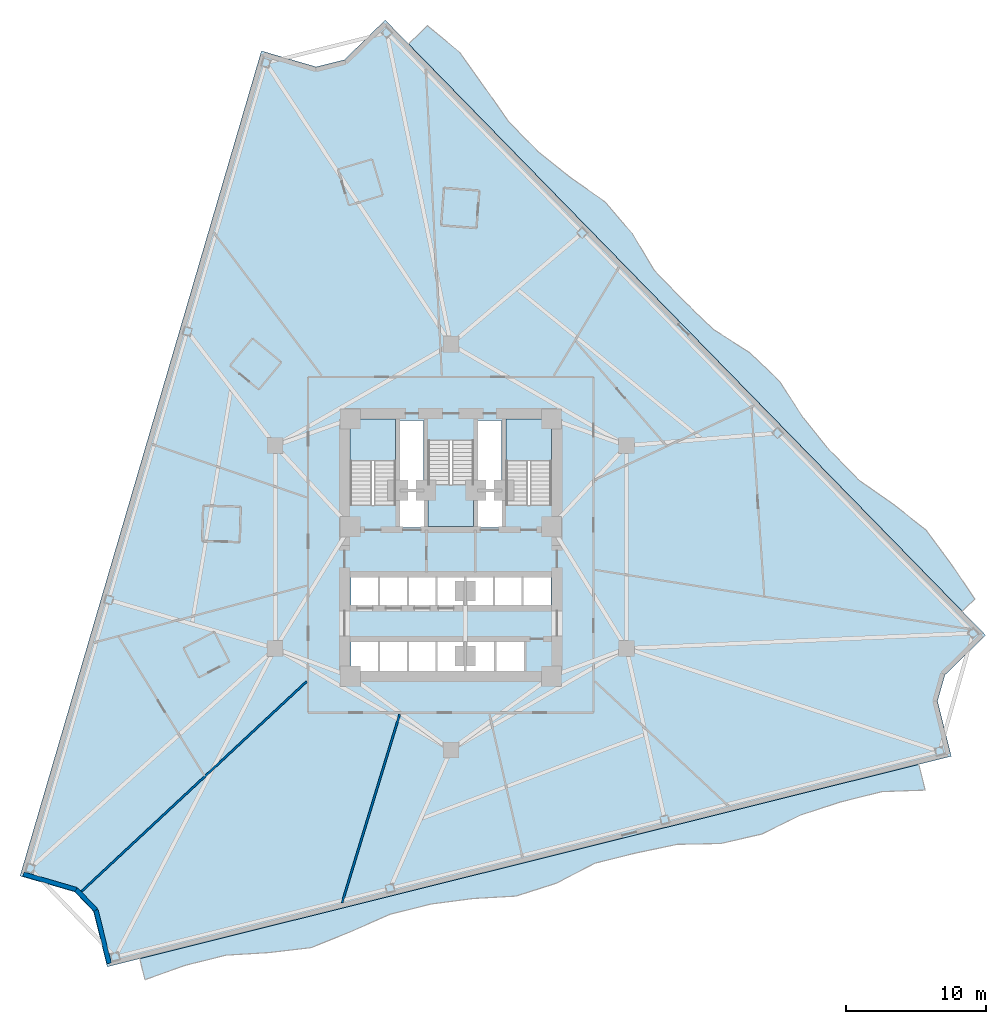
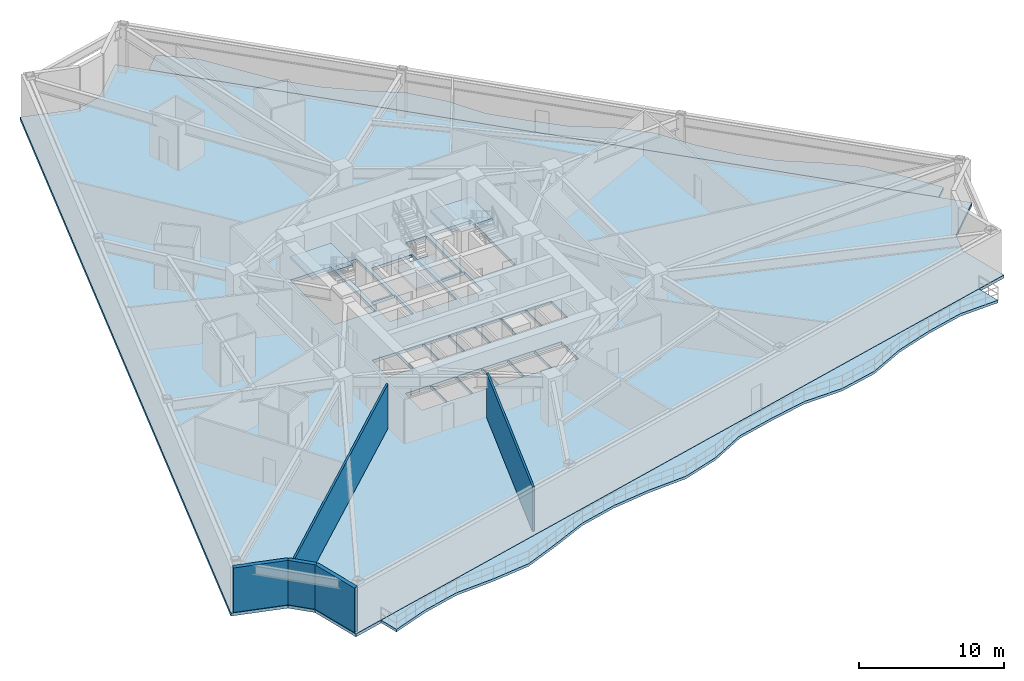
# One storey, part 2 of 9: 6 slabs, 5 walls, 3 elements without a shape of their own.
"""IFC4 building model written with IfcOpenShell, lengths in metres."""

from ifc_helpers import new_model, si_unit, direction, frame, frame_2d, origin, place, context, subcontext, project, spatial, polyline, rectangle, outline, extrude, material, layer, layer_set, type_object, element, aggregate, save


model = new_model("IFC4")

# Units and contexts
model_context = context("Model", 3, precision=1e-05, world=origin(), true_north=direction((0.0, 1.0)))
body_context = subcontext(model_context, "Body", "Model", "MODEL_VIEW")
ifc_project = project(units=[si_unit("LENGTHUNIT", "METRE"), si_unit("AREAUNIT", "SQUARE_METRE"), si_unit("VOLUMEUNIT", "CUBIC_METRE"), si_unit("PLANEANGLEUNIT", "RADIAN"), si_unit("MASSUNIT", "GRAM", prefix="KILO")], contexts=[model_context])

# Site, building, storey
site_placement = place(None, origin())
site = spatial("IfcSite", under=ifc_project, at=site_placement, CompositionType="ELEMENT")
building_placement = place(site_placement, origin())
building = spatial("IfcBuilding", under=site, at=building_placement, Name="Apsidion Concourse Tower", CompositionType="ELEMENT")
storey_placement = place(building_placement, frame((0.0, 0.0, 111.0)))
storey = spatial("IfcBuildingStorey", under=building, at=storey_placement, Name="L25", CompositionType="ELEMENT", Elevation=111.0)

# Slabs
ifc_material_1 = material(Name="Concrete C50/60", Category="concrete")
ifc_layer_1 = layer(ifc_material_1, 0.219970703125)
ifc_layer_set_1 = layer_set([ifc_layer_1], Name="Concrete C50/60")
slab_type_1 = type_object("IfcSlabType", Name="SL-BAL-220", PredefinedType="FLOOR", material=ifc_layer_set_1)
slab_1_placement = place(storey_placement, frame((0.0, 0.0, -0.219970703125)))
element("IfcSlab", 1, at=slab_1_placement, inside=storey, type_object=slab_type_1, Name="L25 Face 2 Rippling Balcony Slab", PredefinedType="FLOOR", context=body_context, shape_type="SweptSolid", body=[
    extrude(outline(polyline([(-22.24560546875, -29.43359375), (-19.313720703125, -28.702392578125), (-16.3818359375, -27.971435546875), (-13.449951171875, -27.240478515625), (-10.51806640625, -26.509521484375), (-7.586181640625, -25.778564453125), (-4.654296875, -25.047607421875), (-1.722412109375, -24.31640625), (1.209228515625, -23.58544921875), (4.14111328125, -22.8544921875), (7.072998046875, -22.12353515625), (10.0048828125, -21.392578125), (12.936767578125, -20.66162109375), (15.86865234375, -19.9306640625), (18.800537109375, -19.19970703125), (21.732421875, -18.468505859375), (24.664306640625, -17.737548828125), (27.59619140625, -17.006591796875), (30.528076171875, -16.275634765625), (33.4599609375, -15.544677734375), (33.91748046875, -17.38037109375), (30.830322265625, -17.488525390625), (27.898681640625, -18.219482421875), (25.01806640625, -19.156005859375), (22.243896484375, -20.52001953125), (19.299072265625, -21.19921875), (16.199951171875, -21.2587890625), (13.2392578125, -21.87451171875), (10.307373046875, -22.60546875), (7.54931640625, -24.0341796875), (4.66552734375, -24.9580078125), (1.594970703125, -25.13232421875), (-1.420166015625, -25.529296875), (-4.35205078125, -26.260498046875), (-7.1572265625, -27.498779296875), (-9.986083984375, -28.643798828125), (-13.01123046875, -29.00048828125), (-16.07958984375, -29.184326171875), (-19.01123046875, -29.915283203125), (-21.87060546875, -30.9375), (-22.24560546875, -29.43359375)])), origin(), (0.0, 0.0, 1.0), 0.219970703125),
])
slab_2_placement = place(storey_placement, frame((0.0, 0.0, -0.219970703125)))
element("IfcSlab", 2, at=slab_2_placement, inside=storey, type_object=slab_type_1, Name="L25 Face 3 Rippling Balcony Slab", PredefinedType="FLOOR", context=body_context, shape_type="SweptSolid", body=[
    extrude(outline(polyline([(36.569091796875, -4.591064453125), (34.485595703125, -2.456298828125), (32.402099609375, -0.32177734375), (30.318603515625, 1.81298828125), (28.23486328125, 3.947509765625), (26.1513671875, 6.082275390625), (24.06787109375, 8.216796875), (21.984130859375, 10.3515625), (19.900634765625, 12.486083984375), (17.817138671875, 14.620849609375), (15.733642578125, 16.75537109375), (13.64990234375, 18.89013671875), (11.56640625, 21.024658203125), (9.48291015625, 23.159423828125), (7.3994140625, 25.2939453125), (5.31591796875, 27.4287109375), (3.232177734375, 29.563232421875), (1.148681640625, 31.697998046875), (-0.934814453125, 33.83251953125), (-3.018310546875, 35.96728515625), (-1.677978515625, 37.275390625), (0.635986328125, 35.365966796875), (2.385986328125, 32.905517578125), (4.126708984375, 30.436279296875), (6.210205078125, 28.3017578125), (8.552001953125, 26.419189453125), (11.03564453125, 24.675048828125), (12.97705078125, 22.401611328125), (14.550048828125, 19.7685546875), (16.628173828125, 17.62841796875), (18.774658203125, 15.555419921875), (21.35595703125, 13.906494140625), (23.514404296875, 11.844970703125), (25.158203125, 9.28125), (27.0458984375, 6.955322265625), (29.12939453125, 4.82080078125), (31.6142578125, 3.07763671875), (33.976318359375, 1.21484375), (35.77001953125, -1.202880859375), (37.463623046875, -3.718017578125), (36.569091796875, -4.591064453125)])), origin(), (0.0, 0.0, 1.0), 0.219970703125),
])
ifc_layer_2 = layer(ifc_material_1, 0.25)
ifc_layer_set_2 = layer_set([ifc_layer_2], Name="Concrete C50/60")
slab_type_2 = type_object("IfcSlabType", Name="SL-FLR-250", PredefinedType="FLOOR", material=ifc_layer_set_2)
slab_3_placement = place(storey_placement, frame((0.0, 0.0, -0.25)))
element("IfcSlab", 3, at=slab_3_placement, inside=storey, type_object=slab_type_2, Name="L25 Structural Floor Slab", PredefinedType="FLOOR", context=body_context, shape_type="SweptSolid", body=[
    extrude(outline(polyline([(-4.69482421875, 37.684814453125), (-7.614013671875, 34.83544921875), (-9.63134765625, 34.33251953125), (-13.546630859375, 35.477783203125), (-30.80712890625, -23.525390625), (-26.891845703125, -24.670654296875), (-25.56103515625, -26.055908203125), (-24.57421875, -30.01416015625), (35.78857421875, -14.964111328125), (34.8017578125, -11.005859375), (35.326416015625, -9.15771484375), (38.24560546875, -6.30859375), (-4.69482421875, 37.684814453125)]), holes=[polyline([(-3.949951171875, 3.0), (-3.949951171875, 9.14990234375), (-7.199951171875, 9.14990234375), (-7.199951171875, 3.0), (-3.949951171875, 3.0)]), polyline([(7.199951171875, 3.0), (7.199951171875, 9.14990234375), (3.949951171875, 9.14990234375), (3.949951171875, 3.0), (7.199951171875, 3.0)]), polyline([(-1.625, 7.60009765625), (-1.625, 1.449951171875), (1.625, 1.449951171875), (1.625, 7.60009765625), (-1.625, 7.60009765625)]), polyline([(-7.14501953125, -4.300048828125), (-5.155029296875, -4.300048828125), (-5.155029296875, -2.050048828125), (-7.14501953125, -2.050048828125), (-7.14501953125, -4.300048828125)]), polyline([(-5.094970703125, -4.300048828125), (-3.10498046875, -4.300048828125), (-3.10498046875, -2.050048828125), (-5.094970703125, -2.050048828125), (-5.094970703125, -4.300048828125)]), polyline([(-3.044921875, -4.300048828125), (-1.054931640625, -4.300048828125), (-1.054931640625, -2.050048828125), (-3.044921875, -2.050048828125), (-3.044921875, -4.300048828125)]), polyline([(-0.9951171875, -4.300048828125), (0.9951171875, -4.300048828125), (0.9951171875, -2.050048828125), (-0.9951171875, -2.050048828125), (-0.9951171875, -4.300048828125)]), polyline([(1.054931640625, -4.300048828125), (3.044921875, -4.300048828125), (3.044921875, -2.050048828125), (1.054931640625, -2.050048828125), (1.054931640625, -4.300048828125)]), polyline([(3.10498046875, -4.300048828125), (5.094970703125, -4.300048828125), (5.094970703125, -2.050048828125), (3.10498046875, -2.050048828125), (3.10498046875, -4.300048828125)]), polyline([(5.155029296875, -4.300048828125), (7.14501953125, -4.300048828125), (7.14501953125, -2.050048828125), (5.155029296875, -2.050048828125), (5.155029296875, -4.300048828125)]), polyline([(-7.14501953125, -8.949951171875), (-5.155029296875, -8.949951171875), (-5.155029296875, -6.64990234375), (-7.14501953125, -6.64990234375), (-7.14501953125, -8.949951171875)]), polyline([(-5.094970703125, -8.949951171875), (-3.10498046875, -8.949951171875), (-3.10498046875, -6.64990234375), (-5.094970703125, -6.64990234375), (-5.094970703125, -8.949951171875)]), polyline([(-3.044921875, -8.949951171875), (-1.054931640625, -8.949951171875), (-1.054931640625, -6.64990234375), (-3.044921875, -6.64990234375), (-3.044921875, -8.949951171875)]), polyline([(-0.9951171875, -8.949951171875), (0.9951171875, -8.949951171875), (0.9951171875, -6.64990234375), (-0.9951171875, -6.64990234375), (-0.9951171875, -8.949951171875)]), polyline([(1.044921875, -9.0), (3.155029296875, -9.0), (3.155029296875, -6.64990234375), (1.044921875, -6.64990234375), (1.044921875, -9.0)]), polyline([(3.195068359375, -9.0), (5.304931640625, -9.0), (5.304931640625, -6.64990234375), (3.195068359375, -6.64990234375), (3.195068359375, -9.0)]), polyline([(-3.7099609375, 1.39990234375), (-1.85009765625, 1.39990234375), (-1.85009765625, 4.0), (-3.7099609375, 4.0), (-3.7099609375, 1.39990234375)]), polyline([(1.85009765625, 1.39990234375), (3.7099609375, 1.39990234375), (3.7099609375, 4.0), (1.85009765625, 4.0), (1.85009765625, 1.39990234375)]), polyline([(-3.6201171875, 4.14990234375), (-1.93994140625, 4.14990234375), (-1.93994140625, 9.050048828125), (-3.6201171875, 9.050048828125), (-3.6201171875, 4.14990234375)]), polyline([(1.93994140625, 4.14990234375), (3.6201171875, 4.14990234375), (3.6201171875, 9.050048828125), (1.93994140625, 9.050048828125), (1.93994140625, 4.14990234375)])]), origin(), (0.0, 0.0, 1.0), 0.25),
])

# Stair, slab
ifc_material_2 = material(Name="Precast concrete C40/50", Category="concrete")
stair_type = type_object("IfcStairType", Name="ST-DL-1550", PredefinedType="HALF_TURN_STAIR", material=ifc_material_2)
stair_1_placement = place(storey_placement, origin())
stair_1 = element("IfcStair", 4, at=stair_1_placement, inside=storey, type_object=stair_type, Name="L25 Protected Core Exit Stair ST1", PredefinedType="HALF_TURN_STAIR")
ifc_layer_3 = layer(ifc_material_1, 0.199951171875)
ifc_layer_set_3 = layer_set([ifc_layer_3], Name="Concrete C50/60")
slab_type_3 = type_object("IfcSlabType", Name="SL-ST-LAND-200", PredefinedType="LANDING", material=ifc_layer_set_3)
slab_4_placement = place(storey_placement, frame((0.0, 0.0, 1.800048828125)))
slab_4 = element("IfcSlab", 5, at=slab_4_placement, type_object=slab_type_3, Name="ST1 landing 1", PredefinedType="LANDING", context=body_context, shape_type="SweptSolid", body=[
    extrude(outline(polyline([(-3.949951171875, 6.135009765625), (-3.949951171875, 9.14990234375), (-7.199951171875, 9.14990234375), (-7.199951171875, 6.135009765625), (-3.949951171875, 6.135009765625)])), origin(), (0.0, 0.0, 1.0), 0.199951171875),
])
aggregate(stair_1, [slab_4])

stair_2_placement = place(storey_placement, origin())
stair_2 = element("IfcStair", 6, at=stair_2_placement, inside=storey, type_object=stair_type, Name="L25 Protected Core Exit Stair ST2", PredefinedType="HALF_TURN_STAIR")
slab_5_placement = place(storey_placement, frame((0.0, 0.0, 1.800048828125)))
slab_5 = element("IfcSlab", 7, at=slab_5_placement, type_object=slab_type_3, Name="ST2 landing 1", PredefinedType="LANDING", context=body_context, shape_type="SweptSolid", body=[
    extrude(outline(polyline([(7.199951171875, 6.135009765625), (7.199951171875, 9.14990234375), (3.949951171875, 9.14990234375), (3.949951171875, 6.135009765625), (7.199951171875, 6.135009765625)])), origin(), (0.0, 0.0, 1.0), 0.199951171875),
])
aggregate(stair_2, [slab_5])

stair_3_placement = place(storey_placement, origin())
stair_3 = element("IfcStair", 8, at=stair_3_placement, inside=storey, type_object=stair_type, Name="L25 Protected Core Exit Stair ST3", PredefinedType="HALF_TURN_STAIR")
slab_6_placement = place(storey_placement, frame((0.0, 0.0, 1.800048828125)))
slab_6 = element("IfcSlab", 9, at=slab_6_placement, type_object=slab_type_3, Name="ST3 landing 1", PredefinedType="LANDING", context=body_context, shape_type="SweptSolid", body=[
    extrude(outline(polyline([(-1.625, 4.465087890625), (-1.625, 1.449951171875), (1.625, 1.449951171875), (1.625, 4.465087890625), (-1.625, 4.465087890625)])), origin(), (0.0, 0.0, 1.0), 0.199951171875),
])
aggregate(stair_3, [slab_6])

# Walls
ifc_layer_4 = layer(ifc_material_2, 0.320068359375)
ifc_layer_set_4 = layer_set([ifc_layer_4], Name="Precast concrete C40/50")
wall_type_1 = type_object("IfcWallType", Name="WL-EXT-320", PredefinedType="STANDARD", material=ifc_layer_set_4)
wall_1_placement = place(storey_placement, frame((-24.4287109375, -29.771728515625, 0.0), z_axis=(0.0, 0.0, 1.0), x_axis=(-0.241863642263, 0.970310248607, 0.0)))
element("IfcWall", 10, at=wall_1_placement, inside=storey, type_object=wall_type_1, Name="L25 Precast Stone Facade Wall 06", PredefinedType="STANDARD", context=body_context, shape_type="SweptSolid", body=[
    extrude(rectangle(XDim=3.9326171875, YDim=0.320068359375, at=frame_2d((1.96630859375, 0.0))), origin(), (0.0, 0.0, 1.0), 3.75),
])
wall_2_placement = place(storey_placement, frame((-25.3798828125, -25.955810546875, 0.0), z_axis=(0.0, 0.0, 1.0), x_axis=(-0.69281750058, 0.721112966802, 0.0)))
element("IfcWall", 11, at=wall_2_placement, inside=storey, type_object=wall_type_1, Name="L25 Precast Stone Facade Wall 07", PredefinedType="STANDARD", context=body_context, shape_type="SweptSolid", body=[
    extrude(rectangle(XDim=2.027587890625, YDim=0.320068359375, at=frame_2d((1.013671875, 0.0))), origin(), (0.0, 0.0, 1.0), 3.75),
])
wall_3_placement = place(storey_placement, frame((-26.78466796875, -24.49365234375, 0.0), z_axis=(0.0, 0.0, 1.0), x_axis=(-0.959768832583, 0.28079136027, 0.0)))
element("IfcWall", 12, at=wall_3_placement, inside=storey, type_object=wall_type_1, Name="L25 Precast Stone Facade Wall 08", PredefinedType="STANDARD", context=body_context, shape_type="SweptSolid", body=[
    extrude(rectangle(XDim=3.9326171875, YDim=0.320068359375, at=frame_2d((1.96630859375, 0.0))), origin(), (0.0, 0.0, 1.0), 3.75),
])
ifc_material_3 = material(Name="Gypsum plasterboard partition")
ifc_layer_5 = layer(ifc_material_3, 0.14990234375)
ifc_layer_set_5 = layer_set([ifc_layer_5], Name="Gypsum plasterboard partition")
wall_type_2 = type_object("IfcWallType", Name="WL-INT-PAR-150", PredefinedType="PARTITIONING", material=ifc_layer_set_5)
wall_4_placement = place(storey_placement, frame((-10.304931640625, -9.609619140625, 0.0), z_axis=(0.0, 0.0, 1.0), x_axis=(-0.731358223389, -0.681993511026, 0.0)))
element("IfcWall", 13, at=wall_4_placement, inside=storey, type_object=wall_type_2, Name="L25 Interior Partition WL-L25-RAD-07-1", PredefinedType="PARTITIONING", context=body_context, shape_type="SweptSolid", body=[
    extrude(rectangle(XDim=22.02294921875, YDim=0.14990234375, at=frame_2d((11.011474609375, 0.0))), origin(), (0.0, 0.0, 1.0), 3.75),
])
wall_5_placement = place(storey_placement, frame((-3.655029296875, -11.955078125, 0.0), z_axis=(0.0, 0.0, 1.0), x_axis=(-0.292365011215, -0.956306802348, 0.0)))
element("IfcWall", 14, at=wall_5_placement, inside=storey, type_object=wall_type_2, Name="L25 Interior Partition WL-L25-RAD-08-1", PredefinedType="PARTITIONING", context=body_context, shape_type="SweptSolid", body=[
    extrude(rectangle(XDim=14.100830078125, YDim=0.14990234375, at=frame_2d((7.05029296875, 0.0))), origin(), (0.0, 0.0, 1.0), 3.75),
])

save(model, "model.ifc")
